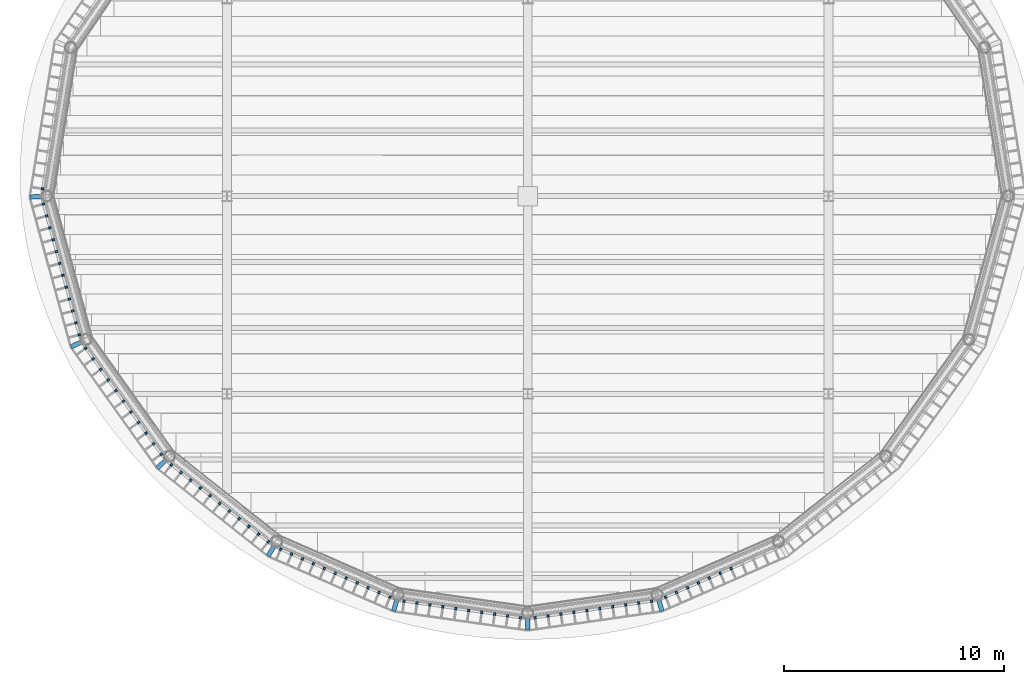
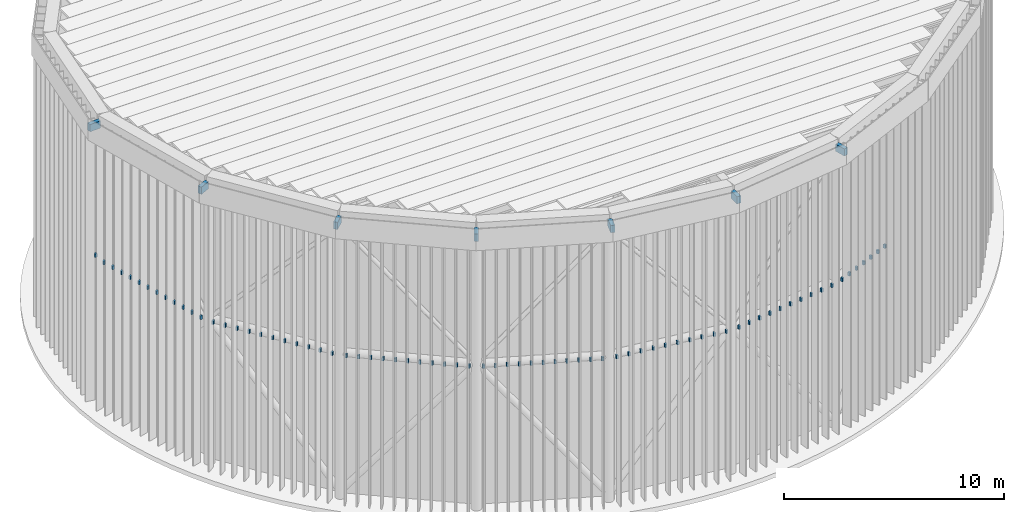
# One storey, part 5 of 11: 80 discrete accessories.
"""IFC4 building model written with IfcOpenShell, lengths in metres."""

from ifc_helpers import new_model, si_unit, direction, frame, origin, origin_2d, place, context, subcontext, project, spatial, rectangle, extrude, material, type_object, element, save


model = new_model("IFC4")

# Units and contexts
model_context = context("Model", 3, precision=1e-05, world=origin(), true_north=direction((0.0, 1.0)))
body_context = subcontext(model_context, "Body", "Model", "MODEL_VIEW")
ifc_project = project(units=[si_unit("LENGTHUNIT", "METRE"), si_unit("AREAUNIT", "SQUARE_METRE"), si_unit("VOLUMEUNIT", "CUBIC_METRE"), si_unit("PLANEANGLEUNIT", "RADIAN"), si_unit("MASSUNIT", "GRAM", prefix="KILO")], contexts=[model_context])

# Site, building, storey
site_placement = place(None, origin())
site = spatial("IfcSite", under=ifc_project, at=site_placement, CompositionType="ELEMENT")
building_placement = place(site_placement, origin())
building = spatial("IfcBuilding", under=site, at=building_placement, Name="Marramba Exchange Tower", CompositionType="ELEMENT")
storey_placement = place(building_placement, frame((0.0, 0.0, 282.0)))
storey = spatial("IfcBuildingStorey", under=building, at=storey_placement, Name="Roof crown", CompositionType="ELEMENT", Elevation=282.0)

# Discrete accessories
ifc_material = material(Name="Steel bracket, hot-dip galvanised", Category="steel")
discrete_accessory_type_1 = type_object("IfcDiscreteAccessoryType", Name="CROWN CAP PANEL BRACKET 200x400", PredefinedType="BRACKET", material=ifc_material)
discrete_accessory_1_placement = place(storey_placement, frame((-22.3916015625, -0.0263671875, 15.300048828125), z_axis=(0.0, 0.0, 1.0), x_axis=(-0.998558348152, -0.053677046638, 0.0)))
element("IfcDiscreteAccessory", 1, at=discrete_accessory_1_placement, inside=storey, type_object=discrete_accessory_type_1, Name="Crown cap panel bracket CB2 at post CF11", PredefinedType="BRACKET", context=body_context, shape_type="SweptSolid", body=[
    extrude(rectangle(XDim=0.570556640625, YDim=0.199951171875, at=origin_2d()), origin(), (0.0, 0.0, 1.0), 0.39990234375),
])
discrete_accessory_2_placement = place(storey_placement, frame((-20.55029296875, -6.743408203125, 15.300048828125), z_axis=(0.0, 0.0, 1.0), x_axis=(-0.903255884857, -0.429102326342, 0.0)))
element("IfcDiscreteAccessory", 2, at=discrete_accessory_2_placement, inside=storey, type_object=discrete_accessory_type_1, Name="Crown cap panel bracket CB2 at post CF12", PredefinedType="BRACKET", context=body_context, shape_type="SweptSolid", body=[
    extrude(rectangle(XDim=0.567138671875, YDim=0.199951171875, at=origin_2d()), origin(), (0.0, 0.0, 1.0), 0.39990234375),
])
discrete_accessory_3_placement = place(storey_placement, frame((-16.667236328125, -12.18798828125, 15.300048828125), z_axis=(0.0, 0.0, 1.0), x_axis=(-0.725106366622, -0.688636883331, 0.0)))
element("IfcDiscreteAccessory", 3, at=discrete_accessory_3_placement, inside=storey, type_object=discrete_accessory_type_1, Name="Crown cap panel bracket CB2 at post CF13", PredefinedType="BRACKET", context=body_context, shape_type="SweptSolid", body=[
    extrude(rectangle(XDim=0.564453125, YDim=0.199951171875, at=origin_2d()), origin(), (0.0, 0.0, 1.0), 0.39990234375),
])
discrete_accessory_4_placement = place(storey_placement, frame((-11.680419921875, -16.147705078125, 15.300048828125), z_axis=(0.0, 0.0, 1.0), x_axis=(-0.515941889598, -0.856623585105, 0.0)))
element("IfcDiscreteAccessory", 4, at=discrete_accessory_4_placement, inside=storey, type_object=discrete_accessory_type_1, Name="Crown cap panel bracket CB2 at post CF14", PredefinedType="BRACKET", context=body_context, shape_type="SweptSolid", body=[
    extrude(rectangle(XDim=0.563720703125, YDim=0.199951171875, at=origin_2d()), origin(), (0.0, 0.0, 1.0), 0.39990234375),
])
discrete_accessory_5_placement = place(storey_placement, frame((-6.0322265625, -18.62353515625, 15.300048828125), z_axis=(0.0, 0.0, 1.0), x_axis=(-0.273651978754, -0.961828776095, 0.0)))
element("IfcDiscreteAccessory", 5, at=discrete_accessory_5_placement, inside=storey, type_object=discrete_accessory_type_1, Name="Crown cap panel bracket CB2 at post CF15", PredefinedType="BRACKET", context=body_context, shape_type="SweptSolid", body=[
    extrude(rectangle(XDim=0.564208984375, YDim=0.199951171875, at=origin_2d()), origin(), (0.0, 0.0, 1.0), 0.39990234375),
])
discrete_accessory_6_placement = place(storey_placement, frame((0.0, -19.481201171875, 15.300048828125), z_axis=(0.0, 0.0, 1.0), x_axis=(0.0, -1.0, 0.0)))
element("IfcDiscreteAccessory", 6, at=discrete_accessory_6_placement, inside=storey, type_object=discrete_accessory_type_1, Name="Crown cap panel bracket CB2 at post CF16", PredefinedType="BRACKET", context=body_context, shape_type="SweptSolid", body=[
    extrude(rectangle(XDim=0.564453125, YDim=0.199951171875, at=origin_2d()), origin(), (0.0, 0.0, 1.0), 0.39990234375),
])
discrete_accessory_7_placement = place(storey_placement, frame((6.0322265625, -18.62353515625, 15.300048828125), z_axis=(0.0, 0.0, 1.0), x_axis=(0.273651978754, -0.961828776095, 0.0)))
element("IfcDiscreteAccessory", 7, at=discrete_accessory_7_placement, inside=storey, type_object=discrete_accessory_type_1, Name="Crown cap panel bracket CB2 at post CF17", PredefinedType="BRACKET", context=body_context, shape_type="SweptSolid", body=[
    extrude(rectangle(XDim=0.564208984375, YDim=0.199951171875, at=origin_2d()), origin(), (0.0, 0.0, 1.0), 0.39990234375),
])
discrete_accessory_type_2 = type_object("IfcDiscreteAccessoryType", Name="CROWN SCREEN FIN BRACKET 100x200", PredefinedType="BRACKET", material=ifc_material)
for number, where, z_axis, x_axis, name in (
    (8, (-22.1005859375, 0.336181640625, 7.89990234375), (0.0, 0.0, 1.0), (-0.159394110696, -0.987215031022, 0.0), "Crown screen fin bracket CB1 bay 10 fin 12"),
    (9, (-22.0634765625, -0.355712890625, 7.89990234375), (0.0, 0.0, 1.0), (0.264304395987, -0.964439311861, 0.0), "Crown screen fin bracket CB1 bay 11 fin 01"),
    (10, (-21.9150390625, -0.897216796875, 7.89990234375), (0.0, 0.0, 1.0), (0.264304395987, -0.964439311861, 0.0), "Crown screen fin bracket CB1 bay 11 fin 02"),
    (11, (-21.7666015625, -1.438720703125, 7.89990234375), (0.0, 0.0, 1.0), (0.264304395987, -0.964439311861, 0.0), "Crown screen fin bracket CB1 bay 11 fin 03"),
    (12, (-21.6181640625, -1.97998046875, 7.89990234375), (0.0, 0.0, 1.0), (0.264304395987, -0.964439311861, 0.0), "Crown screen fin bracket CB1 bay 11 fin 04"),
    (13, (-21.469970703125, -2.521484375, 7.89990234375), (0.0, 0.0, 1.0), (0.264304395987, -0.964439311861, 0.0), "Crown screen fin bracket CB1 bay 11 fin 05"),
    (14, (-21.321533203125, -3.062744140625, 7.89990234375), (0.0, 0.0, 1.0), (0.264304395987, -0.964439311861, 0.0), "Crown screen fin bracket CB1 bay 11 fin 06"),
    (15, (-21.173095703125, -3.604248046875, 7.89990234375), (0.0, 0.0, 1.0), (0.264304395987, -0.964439311861, 0.0), "Crown screen fin bracket CB1 bay 11 fin 07"),
    (16, (-21.02490234375, -4.1455078125, 7.89990234375), (0.0, 0.0, 1.0), (0.264304395987, -0.964439311861, 0.0), "Crown screen fin bracket CB1 bay 11 fin 08"),
    (17, (-20.87646484375, -4.68701171875, 7.89990234375), (0.0, 0.0, 1.0), (0.264304395987, -0.964439311861, 0.0), "Crown screen fin bracket CB1 bay 11 fin 09"),
    (18, (-20.72802734375, -5.228271484375, 7.89990234375), (0.0, 0.0, 1.0), (0.264304395987, -0.964439311861, 0.0), "Crown screen fin bracket CB1 bay 11 fin 10"),
    (19, (-20.57958984375, -5.769775390625, 7.89990234375), (0.0, 0.0, 1.0), (0.264304395987, -0.964439311861, 0.0), "Crown screen fin bracket CB1 bay 11 fin 11"),
    (20, (-20.431396484375, -6.31103515625, 7.89990234375), (0.0, 0.0, 1.0), (0.264304395987, -0.964439311861, 0.0), "Crown screen fin bracket CB1 bay 11 fin 12"),
    (21, (-20.14013671875, -6.92431640625, 7.89990234375), (0.0, 0.0, 1.0), (0.580640249688, -0.814160242484, 0.0), "Crown screen fin bracket CB1 bay 12 fin 01"),
    (22, (-19.79541015625, -7.407470703125, 7.89990234375), (0.0, 0.0, 1.0), (0.580640249688, -0.814160242484, 0.0), "Crown screen fin bracket CB1 bay 12 fin 02"),
    (23, (-19.450927734375, -7.890625, 7.89990234375), (0.0, 0.0, 1.0), (0.580640249688, -0.814160242484, 0.0), "Crown screen fin bracket CB1 bay 12 fin 03"),
    (24, (-19.1064453125, -8.373779296875, 7.89990234375), (0.0, 0.0, 1.0), (0.580640249688, -0.814160242484, 0.0), "Crown screen fin bracket CB1 bay 12 fin 04"),
    (25, (-18.76171875, -8.85693359375, 7.89990234375), (0.0, 0.0, 1.0), (0.580640249688, -0.814160242484, 0.0), "Crown screen fin bracket CB1 bay 12 fin 05"),
    (26, (-18.417236328125, -9.33984375, 7.89990234375), (0.0, 0.0, 1.0), (0.580640249688, -0.814160242484, 0.0), "Crown screen fin bracket CB1 bay 12 fin 06"),
    (27, (-18.07275390625, -9.822998046875, 7.89990234375), (0.0, 0.0, 1.0), (0.580640249688, -0.814160242484, 0.0), "Crown screen fin bracket CB1 bay 12 fin 07"),
    (28, (-17.72802734375, -10.30615234375, 7.89990234375), (0.0, 0.0, 1.0), (0.580640249688, -0.814160242484, 0.0), "Crown screen fin bracket CB1 bay 12 fin 08"),
    (29, (-17.383544921875, -10.789306640625, 7.89990234375), (0.0, 0.0, 1.0), (0.580640249688, -0.814160242484, 0.0), "Crown screen fin bracket CB1 bay 12 fin 09"),
    (30, (-17.0390625, -11.2724609375, 7.89990234375), (0.0, 0.0, 1.0), (0.580640249688, -0.814160242484, 0.0), "Crown screen fin bracket CB1 bay 12 fin 10"),
    (31, (-16.6943359375, -11.755615234375, 7.89990234375), (0.0, 0.0, 1.0), (0.580640249688, -0.814160242484, 0.0), "Crown screen fin bracket CB1 bay 12 fin 11"),
    (32, (-16.23681640625, -12.2373046875, 7.89990234375), (0.0, 0.0, 1.0), (0.783140458377, -0.621844854005, 0.0), "Crown screen fin bracket CB1 bay 13 fin 01"),
    (33, (-15.79541015625, -12.587890625, 7.89990234375), (0.0, 0.0, 1.0), (0.783140458377, -0.621844854005, 0.0), "Crown screen fin bracket CB1 bay 13 fin 02"),
    (34, (-15.353759765625, -12.9384765625, 7.89990234375), (0.0, 0.0, 1.0), (0.783140458377, -0.621844854005, 0.0), "Crown screen fin bracket CB1 bay 13 fin 03"),
    (35, (-14.912353515625, -13.2890625, 7.89990234375), (0.0, 0.0, 1.0), (0.783140458377, -0.621844854005, 0.0), "Crown screen fin bracket CB1 bay 13 fin 04"),
    (36, (-14.470947265625, -13.6396484375, 7.89990234375), (0.0, 0.0, 1.0), (0.783140458377, -0.621844854005, 0.0), "Crown screen fin bracket CB1 bay 13 fin 05"),
    (37, (-14.029296875, -13.990234375, 7.89990234375), (0.0, 0.0, 1.0), (0.783140458377, -0.621844854005, 0.0), "Crown screen fin bracket CB1 bay 13 fin 06"),
    (38, (-13.587890625, -14.3408203125, 7.89990234375), (0.0, 0.0, 1.0), (0.783140458377, -0.621844854005, 0.0), "Crown screen fin bracket CB1 bay 13 fin 07"),
    (39, (-13.146240234375, -14.69140625, 7.89990234375), (0.0, 0.0, 1.0), (0.783140458377, -0.621844854005, 0.0), "Crown screen fin bracket CB1 bay 13 fin 08"),
    (40, (-12.704833984375, -15.0419921875, 7.89990234375), (0.0, 0.0, 1.0), (0.783140458377, -0.621844854005, 0.0), "Crown screen fin bracket CB1 bay 13 fin 09"),
    (41, (-12.263427734375, -15.392578125, 7.89990234375), (0.0, 0.0, 1.0), (0.783140458377, -0.621844854005, 0.0), "Crown screen fin bracket CB1 bay 13 fin 10"),
    (42, (-11.82177734375, -15.7431640625, 7.89990234375), (0.0, 0.0, 1.0), (0.783140458377, -0.621844854005, 0.0), "Crown screen fin bracket CB1 bay 13 fin 11"),
    (43, (-11.256591796875, -16.08349609375, 7.89990234375), (0.0, 0.0, 1.0), (0.915873732973, -0.401466443491, 0.0), "Crown screen fin bracket CB1 bay 14 fin 01"),
    (44, (-10.758544921875, -16.3017578125, 7.89990234375), (0.0, 0.0, 1.0), (0.915873732973, -0.401466443491, 0.0), "Crown screen fin bracket CB1 bay 14 fin 02"),
    (45, (-10.260498046875, -16.520263671875, 7.89990234375), (0.0, 0.0, 1.0), (0.915873732973, -0.401466443491, 0.0), "Crown screen fin bracket CB1 bay 14 fin 03"),
    (46, (-9.76220703125, -16.738525390625, 7.89990234375), (0.0, 0.0, 1.0), (0.915873732973, -0.401466443491, 0.0), "Crown screen fin bracket CB1 bay 14 fin 04"),
    (47, (-9.26416015625, -16.95703125, 7.89990234375), (0.0, 0.0, 1.0), (0.915873732973, -0.401466443491, 0.0), "Crown screen fin bracket CB1 bay 14 fin 05"),
    (48, (-8.76611328125, -17.17529296875, 7.89990234375), (0.0, 0.0, 1.0), (0.915873732973, -0.401466443491, 0.0), "Crown screen fin bracket CB1 bay 14 fin 06"),
    (49, (-8.267822265625, -17.3935546875, 7.89990234375), (0.0, 0.0, 1.0), (0.915873732973, -0.401466443491, 0.0), "Crown screen fin bracket CB1 bay 14 fin 07"),
    (50, (-7.769775390625, -17.612060546875, 7.89990234375), (0.0, 0.0, 1.0), (0.915873732973, -0.401466443491, 0.0), "Crown screen fin bracket CB1 bay 14 fin 08"),
    (51, (-7.271728515625, -17.830322265625, 7.89990234375), (0.0, 0.0, 1.0), (0.915873732973, -0.401466443491, 0.0), "Crown screen fin bracket CB1 bay 14 fin 09"),
    (52, (-6.7734375, -18.048583984375, 7.89990234375), (0.0, 0.0, 1.0), (0.915873732973, -0.401466443491, 0.0), "Crown screen fin bracket CB1 bay 14 fin 10"),
    (53, (-6.275390625, -18.26708984375, 7.89990234375), (0.0, 0.0, 1.0), (0.915873732973, -0.401466443491, 0.0), "Crown screen fin bracket CB1 bay 14 fin 11"),
    (54, (-5.637939453125, -18.448486328125, 7.89990234375), (0.0, 0.0, 1.0), (0.990039613968, -0.140789071925, 0.0), "Crown screen fin bracket CB1 bay 15 fin 01"),
    (55, (-5.048583984375, -18.5322265625, 7.89990234375), (0.0, 0.0, 1.0), (0.990039613968, -0.140789071925, 0.0), "Crown screen fin bracket CB1 bay 15 fin 02"),
    (56, (-4.458984375, -18.615966796875, 7.89990234375), (0.0, 0.0, 1.0), (0.990039613968, -0.140789071925, 0.0), "Crown screen fin bracket CB1 bay 15 fin 03"),
    (57, (-3.869384765625, -18.699951171875, 7.89990234375), (0.0, 0.0, 1.0), (0.990039613968, -0.140789071925, 0.0), "Crown screen fin bracket CB1 bay 15 fin 04"),
    (58, (-3.280029296875, -18.78369140625, 7.89990234375), (0.0, 0.0, 1.0), (0.990039613968, -0.140789071925, 0.0), "Crown screen fin bracket CB1 bay 15 fin 05"),
    (59, (-2.6904296875, -18.867431640625, 7.89990234375), (0.0, 0.0, 1.0), (0.990039613968, -0.140789071925, 0.0), "Crown screen fin bracket CB1 bay 15 fin 06"),
    (60, (-2.10107421875, -18.951416015625, 7.89990234375), (0.0, 0.0, 1.0), (0.990039613968, -0.140789071925, 0.0), "Crown screen fin bracket CB1 bay 15 fin 07"),
    (61, (-1.511474609375, -19.03515625, 7.89990234375), (0.0, 0.0, 1.0), (0.990039613968, -0.140789071925, 0.0), "Crown screen fin bracket CB1 bay 15 fin 08"),
    (62, (-0.921875, -19.119140625, 7.89990234375), (0.0, 0.0, 1.0), (0.990039613968, -0.140789071925, 0.0), "Crown screen fin bracket CB1 bay 15 fin 09"),
    (63, (-0.33251953125, -19.202880859375, 7.89990234375), (0.0, 0.0, 1.0), (0.990039613968, -0.140789071925, 0.0), "Crown screen fin bracket CB1 bay 15 fin 10"),
    (64, (0.33251953125, -19.202880859375, 7.89990234375), (0.0, 0.0, 1.0), (0.990039613968, 0.140789071925, 0.0), "Crown screen fin bracket CB1 bay 16 fin 01"),
    (65, (0.921875, -19.119140625, 7.89990234375), (0.0, 0.0, 1.0), (0.990039613968, 0.140789071925, 0.0), "Crown screen fin bracket CB1 bay 16 fin 02"),
    (66, (1.511474609375, -19.03515625, 7.89990234375), (0.0, 0.0, 1.0), (0.990039613968, 0.140789071925, 0.0), "Crown screen fin bracket CB1 bay 16 fin 03"),
    (67, (2.10107421875, -18.951416015625, 7.89990234375), (0.0, 0.0, 1.0), (0.990039613968, 0.140789071925, 0.0), "Crown screen fin bracket CB1 bay 16 fin 04"),
    (68, (2.6904296875, -18.867431640625, 7.89990234375), (0.0, 0.0, 1.0), (0.990039613968, 0.140789071925, 0.0), "Crown screen fin bracket CB1 bay 16 fin 05"),
    (69, (3.280029296875, -18.78369140625, 7.89990234375), (0.0, 0.0, 1.0), (0.990039613968, 0.140789071925, 0.0), "Crown screen fin bracket CB1 bay 16 fin 06"),
    (70, (3.869384765625, -18.699951171875, 7.89990234375), (0.0, 0.0, 1.0), (0.990039613968, 0.140789071925, 0.0), "Crown screen fin bracket CB1 bay 16 fin 07"),
    (71, (4.458984375, -18.615966796875, 7.89990234375), (0.0, 0.0, 1.0), (0.990039613968, 0.140789071925, 0.0), "Crown screen fin bracket CB1 bay 16 fin 08"),
    (72, (5.048583984375, -18.5322265625, 7.89990234375), (0.0, 0.0, 1.0), (0.990039613968, 0.140789071925, 0.0), "Crown screen fin bracket CB1 bay 16 fin 09"),
    (73, (5.637939453125, -18.448486328125, 7.89990234375), (0.0, 0.0, 1.0), (0.990039613968, 0.140789071925, 0.0), "Crown screen fin bracket CB1 bay 16 fin 10"),
    (74, (6.275390625, -18.26708984375, 7.89990234375), (0.0, 0.0, 1.0), (0.915873732973, 0.401466443491, 0.0), "Crown screen fin bracket CB1 bay 17 fin 01"),
    (75, (6.7734375, -18.048583984375, 7.89990234375), (0.0, 0.0, 1.0), (0.915873732973, 0.401466443491, 0.0), "Crown screen fin bracket CB1 bay 17 fin 02"),
    (76, (7.271728515625, -17.830322265625, 7.89990234375), (0.0, 0.0, 1.0), (0.915873732973, 0.401466443491, 0.0), "Crown screen fin bracket CB1 bay 17 fin 03"),
    (77, (7.769775390625, -17.612060546875, 7.89990234375), (0.0, 0.0, 1.0), (0.915873732973, 0.401466443491, 0.0), "Crown screen fin bracket CB1 bay 17 fin 04"),
    (78, (8.267822265625, -17.3935546875, 7.89990234375), (0.0, 0.0, 1.0), (0.915873732973, 0.401466443491, 0.0), "Crown screen fin bracket CB1 bay 17 fin 05"),
    (79, (8.76611328125, -17.17529296875, 7.89990234375), (0.0, 0.0, 1.0), (0.915873732973, 0.401466443491, 0.0), "Crown screen fin bracket CB1 bay 17 fin 06"),
    (80, (9.26416015625, -16.95703125, 7.89990234375), (0.0, 0.0, 1.0), (0.915873732973, 0.401466443491, 0.0), "Crown screen fin bracket CB1 bay 17 fin 07"),
):
    element("IfcDiscreteAccessory", number, at=place(storey_placement, frame(where, z_axis=z_axis, x_axis=x_axis)), inside=storey, type_object=discrete_accessory_type_2, Name=name, PredefinedType="BRACKET", context=body_context, shape_type="SweptSolid", body=[
        extrude(rectangle(XDim=0.10009765625, YDim=0.11669921875, at=origin_2d()), origin(), (0.0, 0.0, 1.0), 0.199951171875),
    ])

save(model, "model.ifc")
